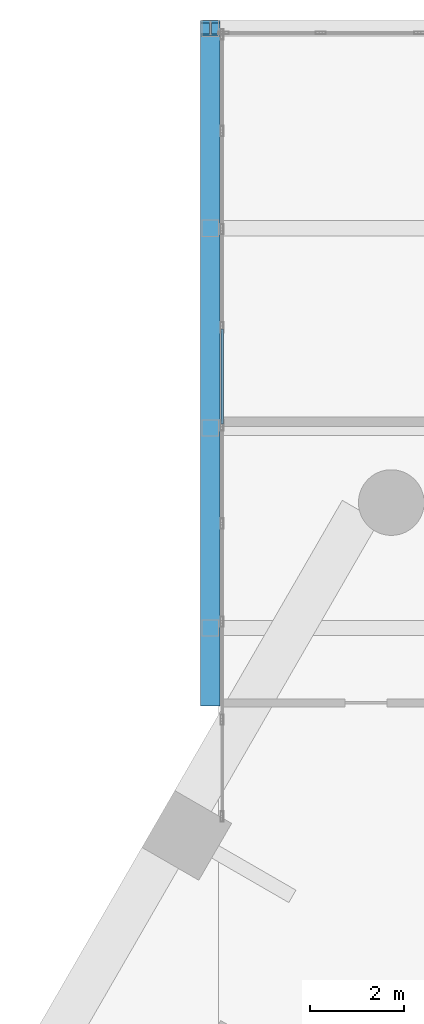
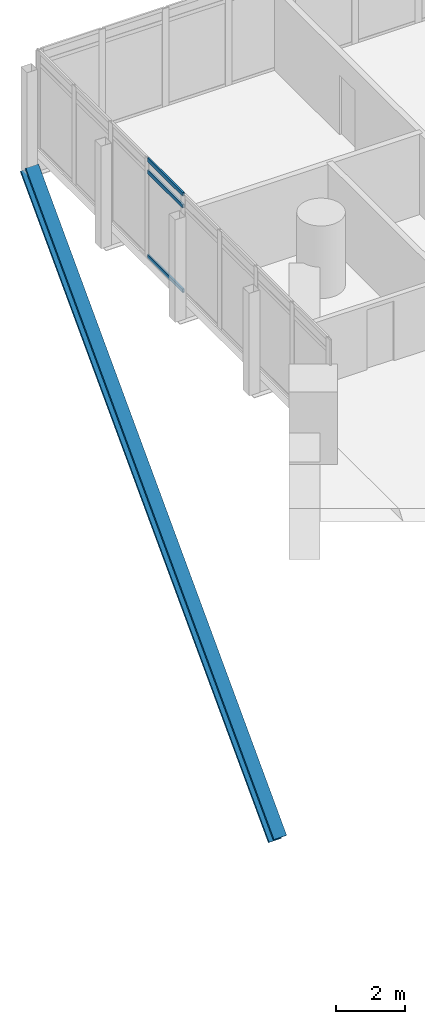
# One storey, part 17 of 38: 4 members, 1 element without a shape of its own.
"""IFC4 building model written with IfcOpenShell, lengths in metres."""

from ifc_helpers import new_model, si_unit, direction, frame, origin, origin_2d, place, context, subcontext, project, spatial, hollow_rectangle, i_section, extrude, material, material_profile, profile_set, type_object, element, aggregate, save


model = new_model("IFC4")

# Units and contexts
model_context = context("Model", 3, precision=1e-05, world=origin(), true_north=direction((0.0, 1.0)))
body_context = subcontext(model_context, "Body", "Model", "MODEL_VIEW")
ifc_project = project(units=[si_unit("LENGTHUNIT", "METRE"), si_unit("AREAUNIT", "SQUARE_METRE"), si_unit("VOLUMEUNIT", "CUBIC_METRE"), si_unit("PLANEANGLEUNIT", "RADIAN"), si_unit("MASSUNIT", "GRAM", prefix="KILO")], contexts=[model_context])

# Site, building, storey
site_placement = place(None, origin())
site = spatial("IfcSite", under=ifc_project, at=site_placement, CompositionType="ELEMENT")
building_placement = place(site_placement, origin())
building = spatial("IfcBuilding", under=site, at=building_placement, Name="Ostrander Bayou Hotel Tower", CompositionType="ELEMENT")
storey_placement = place(building_placement, frame((0.0, 0.0, 65.5)))
storey = spatial("IfcBuildingStorey", under=building, at=storey_placement, Name="L16", CompositionType="ELEMENT", Elevation=65.5)

# Curtain wall, members
ifc_material_1 = material(Name="Aluminium and clear glass", Category="aluminium")
curtain_wall_type = type_object("IfcCurtainWallType", Name="CW-BAR glazed wall", PredefinedType="NOTDEFINED", material=ifc_material_1)
curtain_wall_placement = place(storey_placement, origin())
curtain_wall = element("IfcCurtainWall", 1, at=curtain_wall_placement, inside=storey, type_object=curtain_wall_type, Name="CW-BAR L16:SB1N:E", PredefinedType="NOTDEFINED")
ifc_material_2 = material(Name="Aluminium", Category="aluminium")
ifc_material_profile_1 = material_profile(ifc_material_2, hollow_rectangle(XDim=0.06005859375, YDim=0.1298828125, WallThickness=0.00390625, at=origin_2d()))
ifc_profile_set_1 = profile_set([ifc_material_profile_1], Name="Aluminium")
member_type_1 = type_object("IfcMemberType", Name="CW-BR transom 60 x 130 mm", PredefinedType="USERDEFINED", material=ifc_profile_set_1)
member_1_placement = place(storey_placement, frame((-14.712158203125, 22.54638671875, 0.030029296875), z_axis=(0.0, 1.0, 0.0), x_axis=(-1.0, 0.0, 0.0)))
member_1 = element("IfcMember", 2, at=member_1_placement, type_object=member_type_1, Name="CW-BAR transom 5.1", ObjectType="TRANSOM", PredefinedType="USERDEFINED", context=body_context, shape_type="SweptSolid", body=[
    extrude(hollow_rectangle(XDim=0.06005859375, YDim=0.1298828125, WallThickness=0.00390625, at=origin_2d()), origin(), (0.0, 0.0, 1.0), 2.032470703125),
])
member_2_placement = place(storey_placement, frame((-14.712158203125, 22.54638671875, 3.0), z_axis=(0.0, 1.0, 0.0), x_axis=(-1.0, 0.0, 0.0)))
member_2 = element("IfcMember", 3, at=member_2_placement, type_object=member_type_1, Name="CW-BAR transom 5.2", ObjectType="TRANSOM", PredefinedType="USERDEFINED", context=body_context, shape_type="SweptSolid", body=[
    extrude(hollow_rectangle(XDim=0.06005859375, YDim=0.1298828125, WallThickness=0.00390625, at=origin_2d()), origin(), (0.0, 0.0, 1.0), 2.032470703125),
])
member_3_placement = place(storey_placement, frame((-14.712158203125, 22.54638671875, 3.419921875), z_axis=(0.0, 1.0, 0.0), x_axis=(-1.0, 0.0, 0.0)))
member_3 = element("IfcMember", 4, at=member_3_placement, type_object=member_type_1, Name="CW-BAR transom 5.3", ObjectType="TRANSOM", PredefinedType="USERDEFINED", context=body_context, shape_type="SweptSolid", body=[
    extrude(hollow_rectangle(XDim=0.06005859375, YDim=0.1298828125, WallThickness=0.00390625, at=origin_2d()), origin(), (0.0, 0.0, 1.0), 2.032470703125),
])
aggregate(curtain_wall, [member_1, member_2, member_3])

# Member
ifc_material_3 = material(Name="Steel ASTM A992", Category="steel")
ifc_material_profile_2 = material_profile(ifc_material_3, i_section(OverallWidth=0.42138671875, OverallDepth=0.464599609375, WebThickness=0.044921875, FlangeThickness=0.072509765625, at=origin_2d()))
ifc_profile_set_2 = profile_set([ifc_material_profile_2], Name="Steel ASTM A992")
member_type_2 = type_object("IfcMemberType", Name="TK1 bar kicker strut W14x398", PredefinedType="BRACE", material=ifc_profile_set_2)
member_4_placement = place(storey_placement, frame((-14.965087890625, 30.986083984375, -0.671875), z_axis=(0.0, -0.691447944516, -0.722426286914), x_axis=(1.0, 0.0, 0.0)))
element("IfcMember", 5, at=member_4_placement, inside=storey, type_object=member_type_2, Name="TK1 SB1WA kicker", PredefinedType="BRACE", context=body_context, shape_type="SweptSolid", body=[
    extrude(i_section(OverallWidth=0.42138671875, OverallDepth=0.464599609375, WebThickness=0.044921875, FlangeThickness=0.072509765625, at=origin_2d()), origin(), (0.0, 0.0, 1.0), 20.6640625),
])

save(model, "model.ifc")
